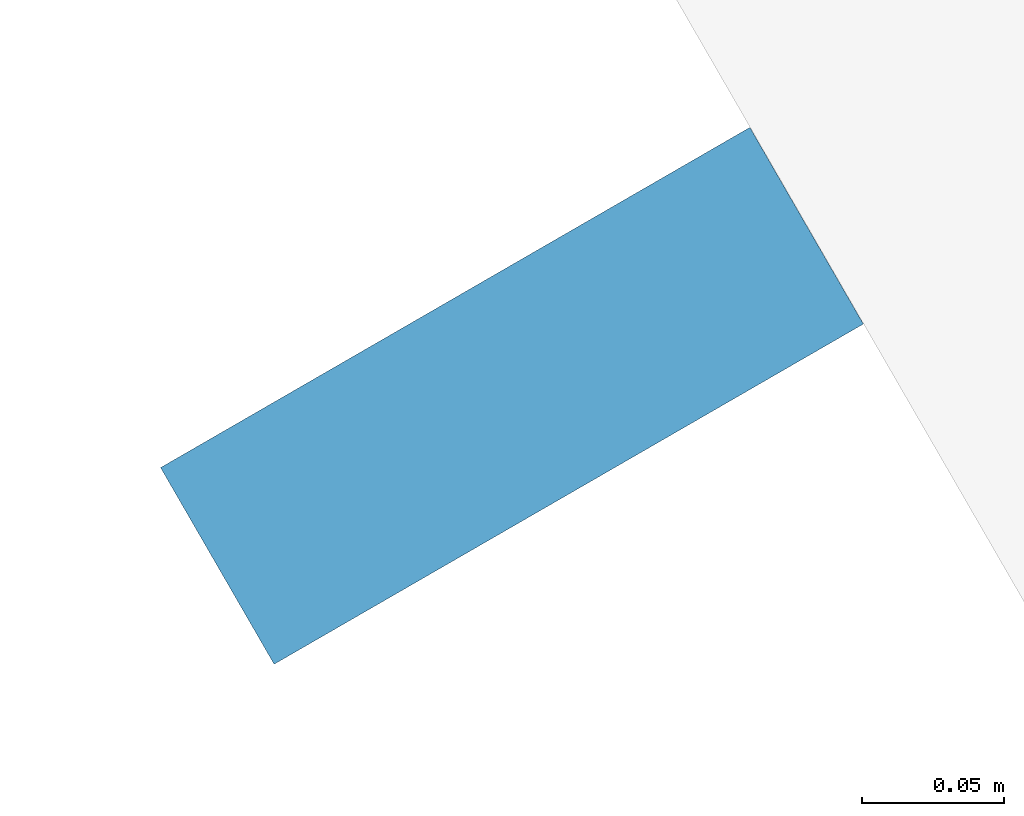
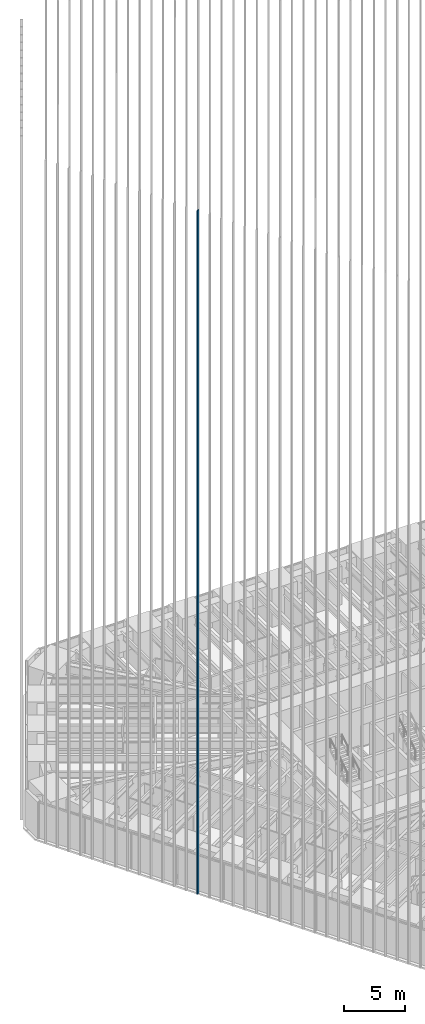
# One storey, part 43 of 256: 1 member, 1 element without a shape of its own.
"""IFC4 building model written with IfcOpenShell, lengths in metres."""

from ifc_helpers import new_model, si_unit, direction, frame, origin, origin_2d, place, context, subcontext, project, spatial, rectangle, extrude, material, material_profile, profile_set, type_object, element, aggregate, save


model = new_model("IFC4")

# Units and contexts
model_context = context("Model", 3, precision=1e-05, world=origin(), true_north=direction((0.0, 1.0)))
body_context = subcontext(model_context, "Body", "Model", "MODEL_VIEW")
ifc_project = project(units=[si_unit("LENGTHUNIT", "METRE"), si_unit("AREAUNIT", "SQUARE_METRE"), si_unit("VOLUMEUNIT", "CUBIC_METRE"), si_unit("PLANEANGLEUNIT", "RADIAN"), si_unit("MASSUNIT", "GRAM", prefix="KILO")], contexts=[model_context])

# Site, building, storey
site_placement = place(None, origin())
site = spatial("IfcSite", under=ifc_project, at=site_placement, CompositionType="ELEMENT")
building_placement = place(site_placement, origin())
building = spatial("IfcBuilding", under=site, at=building_placement, Name="Sandreach Pilgrim Tower", CompositionType="ELEMENT")
storey_placement = place(building_placement, frame((0.0, 0.0, 23.0)))
storey = spatial("IfcBuildingStorey", under=building, at=storey_placement, Name="L04", CompositionType="ELEMENT", Elevation=23.0)

# Curtain wall, member
ifc_material_1 = material(Name="Aluminium framed curtain wall", Category="aluminium")
curtain_wall_type = type_object("IfcCurtainWallType", Name="Hostel tower curtain wall", PredefinedType="NOTDEFINED", material=ifc_material_1)
curtain_wall_placement = place(storey_placement, origin())
curtain_wall = element("IfcCurtainWall", 1, at=curtain_wall_placement, inside=storey, type_object=curtain_wall_type, Name="CW-1 L04 SW", PredefinedType="NOTDEFINED")
ifc_material_2 = material(Name="Extruded terracotta on aluminium core", Category="masonry")
ifc_material_profile = material_profile(ifc_material_2, rectangle(XDim=0.080078125, YDim=0.239990234375, at=origin_2d()), Name="TBW 80X240")
ifc_profile_set = profile_set([ifc_material_profile], Name="Extruded terracotta on aluminium core")
member_type = type_object("IfcMemberType", Name="Terracotta baguette west", PredefinedType="USERDEFINED", material=ifc_profile_set)
member_placement = place(storey_placement, frame((-23.316650390625, -8.351806640625, 0.0), z_axis=(0.0, 0.0, 1.0), x_axis=(-0.5, 0.866025403784, 0.0)))
member = element("IfcMember", 2, at=member_placement, type_object=member_type, Name="Baguette Z1 SW22", ObjectType="BAGUETTE", PredefinedType="USERDEFINED", context=body_context, shape_type="SweptSolid", body=[
    extrude(rectangle(XDim=0.080078125, YDim=0.239990234375, at=origin_2d()), origin(), (0.0, 0.0, 1.0), 68.239990234375),
])
aggregate(curtain_wall, [member])

save(model, "model.ifc")
